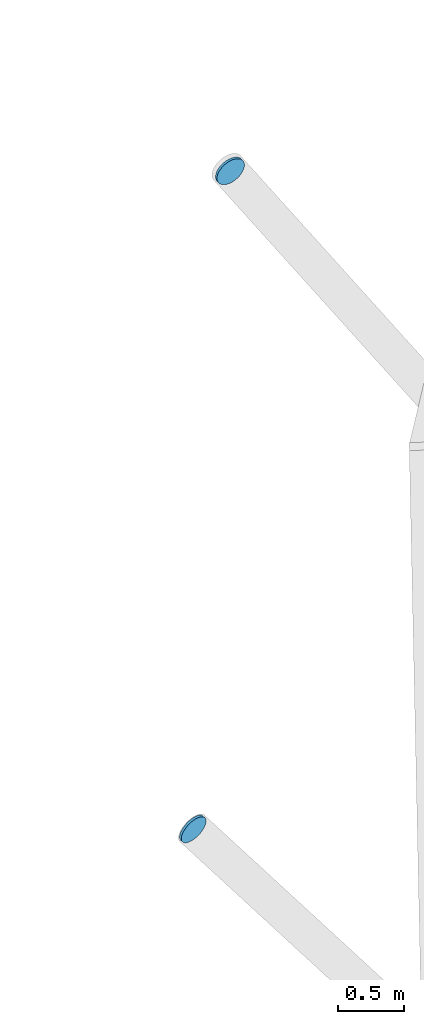
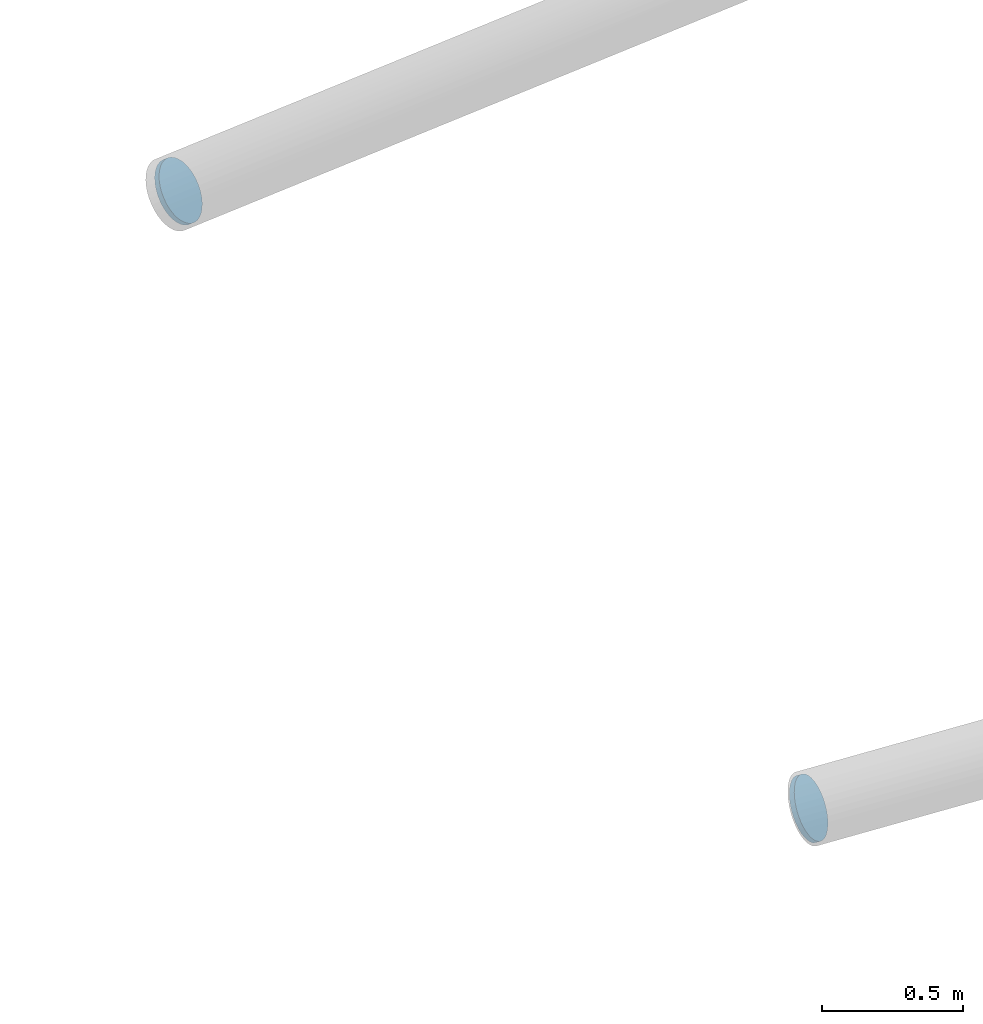
# One storey, part 25 of 34: 2 discrete accessories.
"""IFC4 building model written with IfcOpenShell, lengths in metres."""

from ifc_helpers import new_model, si_unit, direction, frame, origin, origin_2d, place, context, subcontext, project, spatial, circle, extrude, material, material_profile, profile_set, type_object, element, save


model = new_model("IFC4")

# Units and contexts
model_context = context("Model", 3, precision=1e-05, world=origin(), true_north=direction((0.0, 1.0)))
body_context = subcontext(model_context, "Body", "Model", "MODEL_VIEW")
ifc_project = project(units=[si_unit("LENGTHUNIT", "METRE"), si_unit("AREAUNIT", "SQUARE_METRE"), si_unit("VOLUMEUNIT", "CUBIC_METRE"), si_unit("PLANEANGLEUNIT", "RADIAN"), si_unit("MASSUNIT", "GRAM", prefix="KILO")], contexts=[model_context])

# Site, building, storey
site_placement = place(None, origin())
site = spatial("IfcSite", under=ifc_project, at=site_placement, CompositionType="ELEMENT")
building_placement = place(site_placement, origin())
building = spatial("IfcBuilding", under=site, at=building_placement, Name="Rimbun Link Towers", CompositionType="ELEMENT")
storey_placement = place(building_placement, frame((0.0, 0.0, 252.300048828125)))
storey = spatial("IfcBuildingStorey", under=building, at=storey_placement, Name="L62", CompositionType="ELEMENT", Elevation=252.300048828125)

# Discrete accessories
ifc_material = material(Name="Steel S355J2H", Category="steel")
ifc_material_profile = material_profile(ifc_material, circle(Radius=0.1240234375, at=origin_2d()), Name="PL D248")
ifc_profile_set = profile_set([ifc_material_profile], Name="Steel S355J2H")
discrete_accessory_type = type_object("IfcDiscreteAccessoryType", Name="Link foot sealing plate D248X20", PredefinedType="BRACKET", material=ifc_profile_set)
discrete_accessory_1_placement = place(storey_placement, frame((11.346923828125, 2.065673828125, -2.52734375), z_axis=(-0.552199200683, 0.613554667426, -0.564470294032), x_axis=(-0.743294146247, -0.668964731622, 0.0)))
element("IfcDiscreteAccessory", 1, at=discrete_accessory_1_placement, inside=storey, type_object=discrete_accessory_type, Name="Link foot sealing plate T2 L62 09", PredefinedType="BRACKET", context=body_context, shape_type="SweptSolid", body=[
    extrude(circle(Radius=0.1240234375, at=origin_2d()), origin(), (0.0, 0.0, 1.0), 0.019775390625),
])
discrete_accessory_2_placement = place(storey_placement, frame((11.068359375, -2.8876953125, -2.098388671875), z_axis=(-0.659125002388, 0.610300928137, -0.439416668258), x_axis=(-0.679408031498, -0.733760674018, 0.0)))
element("IfcDiscreteAccessory", 2, at=discrete_accessory_2_placement, inside=storey, type_object=discrete_accessory_type, Name="Link foot sealing plate T2 L62 10", PredefinedType="BRACKET", context=body_context, shape_type="SweptSolid", body=[
    extrude(circle(Radius=0.1240234375, at=origin_2d()), origin(), (0.0, 0.0, 1.0), 0.02001953125),
])

save(model, "model.ifc")
